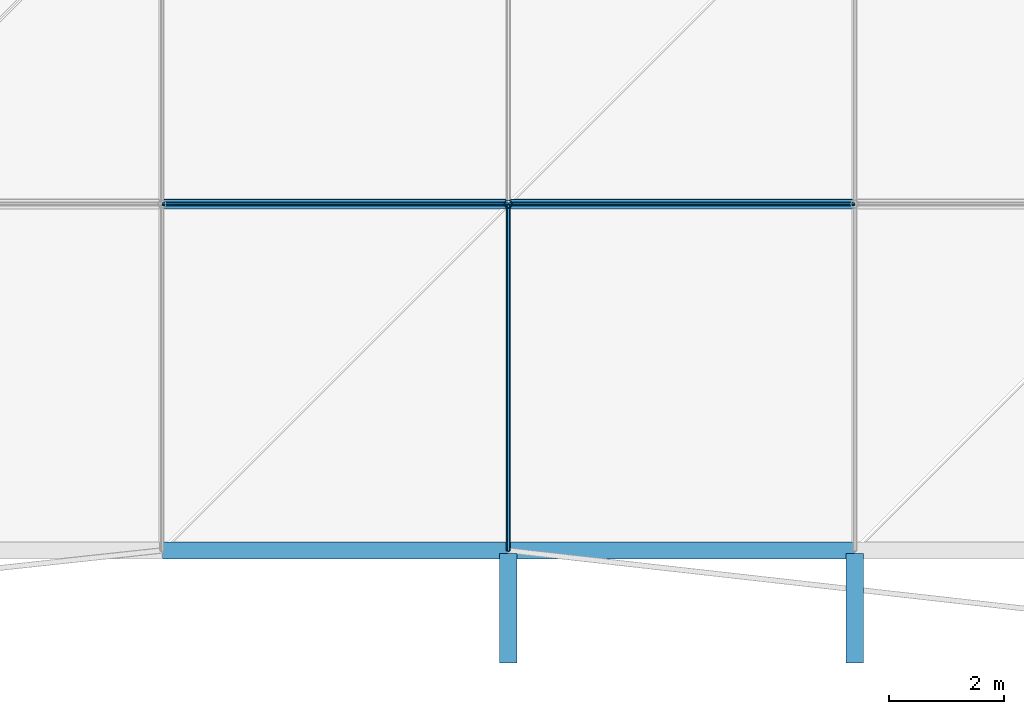
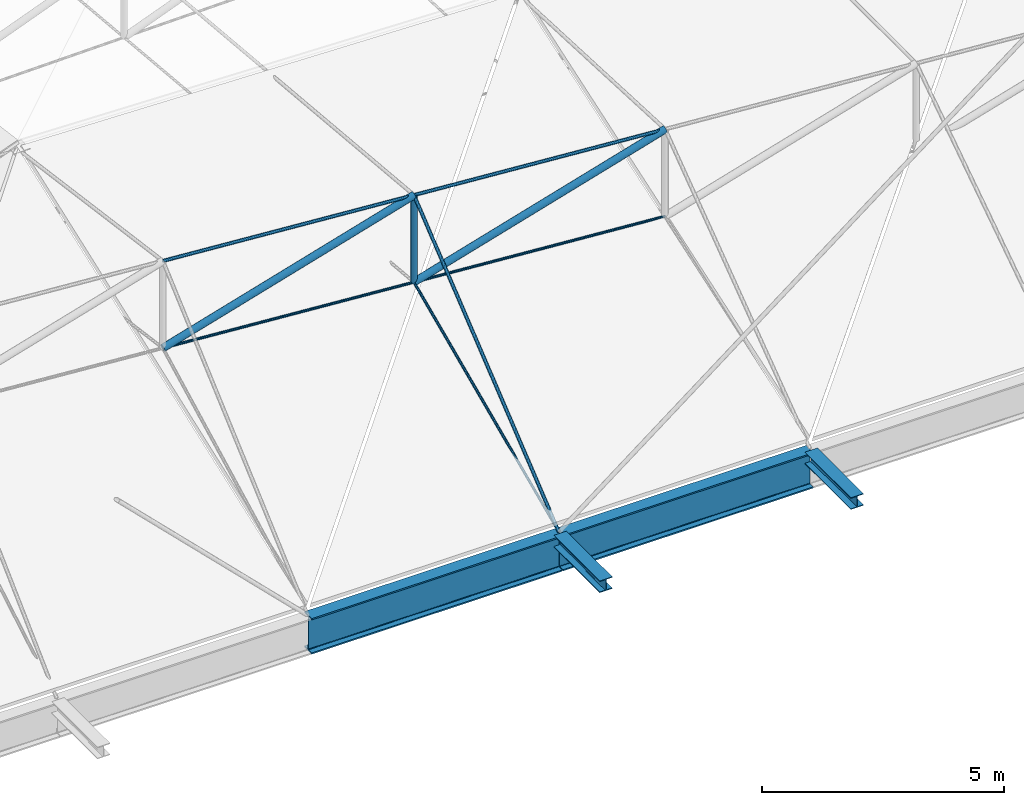
# One storey, part 21 of 132: 9 members, 4 beams.
"""IFC4 building model written with IfcOpenShell, lengths in metres."""

from ifc_helpers import new_model, si_unit, direction, frame, origin, origin_2d, place, context, subcontext, project, spatial, circle, hollow_circle, i_section, extrude, material, material_profile, profile_set, type_object, element, save


model = new_model("IFC4")

# Units and contexts
model_context = context("Model", 3, precision=1e-05, world=origin(), true_north=direction((0.0, 1.0)))
body_context = subcontext(model_context, "Body", "Model", "MODEL_VIEW")
ifc_project = project(units=[si_unit("LENGTHUNIT", "METRE"), si_unit("AREAUNIT", "SQUARE_METRE"), si_unit("VOLUMEUNIT", "CUBIC_METRE"), si_unit("PLANEANGLEUNIT", "RADIAN"), si_unit("MASSUNIT", "GRAM", prefix="KILO")], contexts=[model_context])

# Site, building, storey
site_placement = place(None, origin())
site = spatial("IfcSite", under=ifc_project, at=site_placement, CompositionType="ELEMENT")
building_placement = place(site_placement, origin())
building = spatial("IfcBuilding", under=site, at=building_placement, Name="Deido Ridge Mobility Hub", CompositionType="ELEMENT")
storey_placement = place(building_placement, frame((0.0, 0.0, 8.39990234375)))
storey = spatial("IfcBuildingStorey", under=building, at=storey_placement, Name="L02", CompositionType="ELEMENT", Elevation=8.39990234375)

# Beams
ifc_material_1 = material(Name="Steel S355J2 EN 10025-2", Category="steel")
ifc_material_profile_1 = material_profile(ifc_material_1, i_section(OverallWidth=0.300048828125, OverallDepth=0.89990234375, WebThickness=0.0185546875, FlangeThickness=0.034912109375, FilletRadius=0.027099609375, at=origin_2d()), Name="HEB 900")
ifc_profile_set_1 = profile_set([ifc_material_profile_1], Name="Steel S355J2 EN 10025-2")
beam_type_1 = type_object("IfcBeamType", Name="BM-RING-HEB900", PredefinedType="USERDEFINED", material=ifc_profile_set_1)
for number, where, z_axis, x_axis, name in (
    (1, (12.008056640625, 0.0, -0.449951171875), (1.0, 0.0, 0.0), (0.0, 1.0, 0.0), "Compression ring beam RB1"),
    (2, (18.008056640625, 0.0, -0.449951171875), (1.0, 0.0, 0.0), (0.0, 1.0, 0.0), "Compression ring beam RB1"),
):
    element("IfcBeam", number, at=place(storey_placement, frame(where, z_axis=z_axis, x_axis=x_axis)), inside=storey, type_object=beam_type_1, Name=name, ObjectType="RING BEAM", PredefinedType="USERDEFINED", context=body_context, shape_type="SweptSolid", body=[
        extrude(i_section(OverallWidth=0.300048828125, OverallDepth=0.89990234375, WebThickness=0.0185546875, FlangeThickness=0.034912109375, FilletRadius=0.027099609375, at=origin_2d()), origin(), (0.0, 0.0, 1.0), 5.98388671875),
    ])

# Members
ifc_material_2 = material(Name="Steel S460M EN 10025-4", Category="steel")
ifc_material_profile_2 = material_profile(ifc_material_2, circle(Radius=0.030029296875, at=origin_2d()), Name="CABLE D60")
ifc_profile_set_2 = profile_set([ifc_material_profile_2], Name="Steel S460M EN 10025-4")
member_type_1 = type_object("IfcMemberType", Name="MEM-CBL-D60", PredefinedType="USERDEFINED", material=ifc_profile_set_2)
for number, where, z_axis, x_axis, name in (
    (3, (12.0, 6.0, 3.110107421875), (0.997360957073, 0.0, -0.07260248829), (0.0, 1.0, 0.0), "Saddle lower stabilizing cable CB3"),
    (4, (18.0, 6.0, 2.67333984375), (0.997363894896, 0.0, -0.072562119306), (0.0, 1.0, 0.0), "Saddle lower stabilizing cable CB3"),
):
    element("IfcMember", number, at=place(storey_placement, frame(where, z_axis=z_axis, x_axis=x_axis)), inside=storey, type_object=member_type_1, Name=name, ObjectType="TENSION CABLE", PredefinedType="USERDEFINED", context=body_context, shape_type="SweptSolid", body=[
        extrude(circle(Radius=0.030029296875, at=origin_2d()), origin(), (0.0, 0.0, 1.0), 6.015869140625),
    ])
member_1_placement = place(storey_placement, frame((18.0, 0.0, 0.0), z_axis=(0.0, 0.91343411313, 0.406986634879), x_axis=(-1.0, 0.0, 0.0)))
element("IfcMember", 5, at=member_1_placement, inside=storey, type_object=member_type_1, Name="Saddle transverse valley cable CB3", ObjectType="TENSION CABLE", PredefinedType="USERDEFINED", context=body_context, shape_type="SweptSolid", body=[
    extrude(circle(Radius=0.030029296875, at=origin_2d()), origin(), (0.0, 0.0, 1.0), 6.568603515625),
])
ifc_material_profile_3 = material_profile(ifc_material_2, circle(Radius=0.0380859375, at=origin_2d()), Name="CABLE D76")
ifc_profile_set_3 = profile_set([ifc_material_profile_3], Name="Steel S460M EN 10025-4")
member_type_2 = type_object("IfcMemberType", Name="MEM-CBL-D76", PredefinedType="USERDEFINED", material=ifc_profile_set_3)
for number, where, z_axis, x_axis, name in (
    (6, (12.0, 6.0, 5.31005859375), (0.997360957073, 0.0, -0.07260248829), (0.0, 1.0, 0.0), "Saddle upper longitudinal cable CB2"),
    (7, (18.0, 6.0, 4.873291015625), (0.997363894896, 0.0, -0.072562119306), (0.0, 1.0, 0.0), "Saddle upper longitudinal cable CB2"),
):
    element("IfcMember", number, at=place(storey_placement, frame(where, z_axis=z_axis, x_axis=x_axis)), inside=storey, type_object=member_type_2, Name=name, ObjectType="TENSION CABLE", PredefinedType="USERDEFINED", context=body_context, shape_type="SweptSolid", body=[
        extrude(circle(Radius=0.0380859375, at=origin_2d()), origin(), (0.0, 0.0, 1.0), 6.015869140625),
    ])
member_2_placement = place(storey_placement, frame((18.0, 0.0, 0.0), z_axis=(0.0, 0.776222193684, 0.630459440435), x_axis=(-1.0, 0.0, 0.0)))
element("IfcMember", 8, at=member_2_placement, inside=storey, type_object=member_type_2, Name="Saddle transverse ridge cable CB2", ObjectType="TENSION CABLE", PredefinedType="USERDEFINED", context=body_context, shape_type="SweptSolid", body=[
    extrude(circle(Radius=0.0380859375, at=origin_2d()), origin(), (0.0, 0.0, 1.0), 7.729736328125),
])
ifc_material_3 = material(Name="Steel S355J2H EN 10210-1", Category="steel")
ifc_material_profile_4 = material_profile(ifc_material_3, hollow_circle(Radius=0.06982421875, WallThickness=0.00634765625, at=origin_2d()), Name="CHS 139.7x6.3")
ifc_profile_set_4 = profile_set([ifc_material_profile_4], Name="Steel S355J2H EN 10210-1")
member_type_3 = type_object("IfcMemberType", Name="MEM-STR-CHS140", PredefinedType="STRUT", material=ifc_profile_set_4)
member_3_placement = place(storey_placement, frame((18.0, 6.0, 2.67333984375), z_axis=(0.0, 0.0, 1.0), x_axis=(1.0, 0.0, 0.0)))
element("IfcMember", 9, at=member_3_placement, inside=storey, type_object=member_type_3, Name="Cable-net vertical spreader strut SR2", PredefinedType="STRUT", context=body_context, shape_type="SweptSolid", body=[
    extrude(hollow_circle(Radius=0.06982421875, WallThickness=0.00634765625, at=origin_2d()), origin(), (0.0, 0.0, 1.0), 2.199951171875),
])
ifc_material_profile_5 = material_profile(ifc_material_3, hollow_circle(Radius=0.084228515625, WallThickness=0.008056640625, at=origin_2d()), Name="CHS 168.3x8")
ifc_profile_set_5 = profile_set([ifc_material_profile_5], Name="Steel S355J2H EN 10210-1")
member_type_4 = type_object("IfcMemberType", Name="MEM-STR-CHS168", PredefinedType="STRUT", material=ifc_profile_set_5)
for number, where, z_axis, x_axis, name in (
    (10, (12.0, 6.0, 3.110107421875), (0.959431369876, 0.0, 0.281942275116), (0.0, 1.0, 0.0), "Saddle diagonal web strut SR1"),
    (11, (18.0, 6.0, 2.67333984375), (0.959420809005, 0.0, 0.281978210589), (0.0, 1.0, 0.0), "Saddle diagonal web strut SR1"),
):
    element("IfcMember", number, at=place(storey_placement, frame(where, z_axis=z_axis, x_axis=x_axis)), inside=storey, type_object=member_type_4, Name=name, PredefinedType="STRUT", context=body_context, shape_type="SweptSolid", body=[
        extrude(hollow_circle(Radius=0.084228515625, WallThickness=0.008056640625, at=origin_2d()), origin(), (0.0, 0.0, 1.0), 6.253662109375),
    ])

# Beams
ifc_material_profile_6 = material_profile(ifc_material_1, i_section(OverallWidth=0.300048828125, OverallDepth=0.300048828125, WebThickness=0.010986328125, FlangeThickness=0.01904296875, FilletRadius=0.027099609375, at=origin_2d()), Name="HEB 300")
ifc_profile_set_6 = profile_set([ifc_material_profile_6], Name="Steel S355J2 EN 10025-2")
beam_type_2 = type_object("IfcBeamType", Name="SPD-HEB300", PredefinedType="SPANDREL", material=ifc_profile_set_6)
for number, where, z_axis, x_axis, name in (
    (12, (18.0, -0.050048828125, -0.14990234375), (0.0, -1.0, 0.0), (1.0, 0.0, 0.0), "Exoskeleton outrigger beam SP1"),
    (13, (24.0, -0.050048828125, -0.14990234375), (0.0, -1.0, 0.0), (1.0, 0.0, 0.0), "Exoskeleton outrigger beam SP1"),
):
    element("IfcBeam", number, at=place(storey_placement, frame(where, z_axis=z_axis, x_axis=x_axis)), inside=storey, type_object=beam_type_2, Name=name, PredefinedType="SPANDREL", context=body_context, shape_type="SweptSolid", body=[
        extrude(i_section(OverallWidth=0.300048828125, OverallDepth=0.300048828125, WebThickness=0.010986328125, FlangeThickness=0.01904296875, FilletRadius=0.027099609375, at=origin_2d()), origin(), (0.0, 0.0, 1.0), 1.89990234375),
    ])

save(model, "model.ifc")
